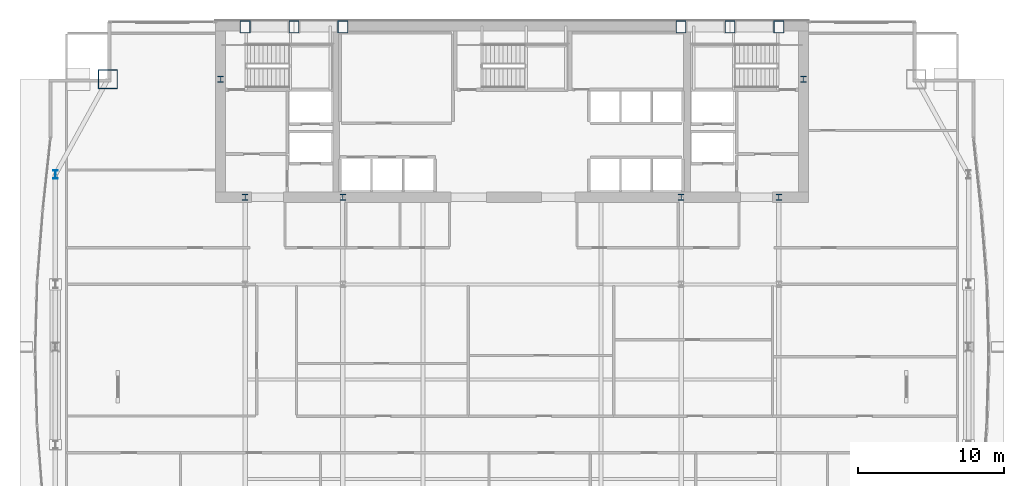
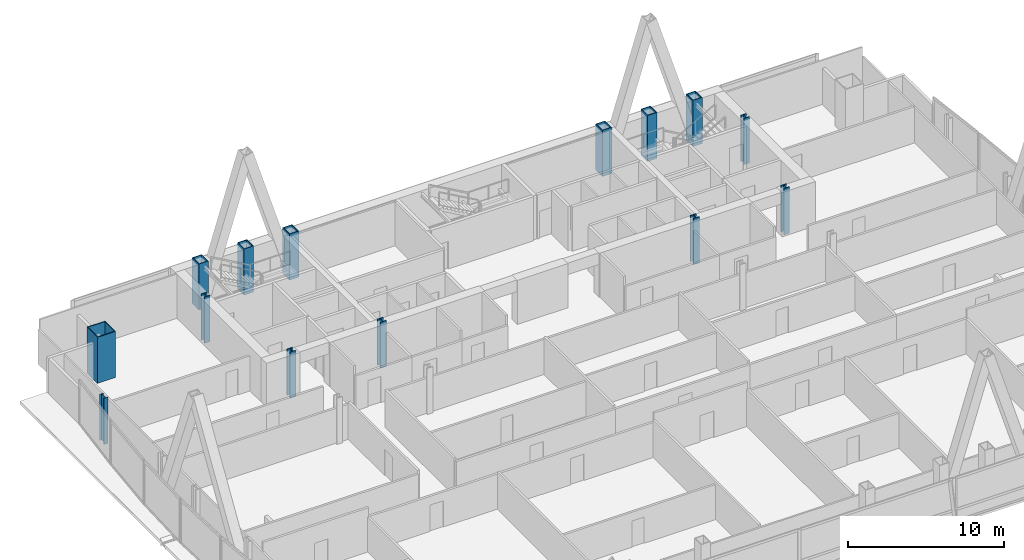
# One storey, part 3 of 30: 14 columns.
"""IFC4 building model written with IfcOpenShell, lengths in metres."""

from ifc_helpers import new_model, si_unit, direction, frame, origin, origin_2d, place, context, subcontext, project, spatial, hollow_rectangle, i_section, extrude, material, material_profile, profile_set, type_object, element, save


model = new_model("IFC4")

# Units and contexts
model_context = context("Model", 3, precision=1e-05, world=origin(), true_north=direction((0.0, 1.0)))
body_context = subcontext(model_context, "Body", "Model", "MODEL_VIEW")
ifc_project = project(units=[si_unit("LENGTHUNIT", "METRE"), si_unit("AREAUNIT", "SQUARE_METRE"), si_unit("VOLUMEUNIT", "CUBIC_METRE"), si_unit("PLANEANGLEUNIT", "RADIAN"), si_unit("MASSUNIT", "GRAM", prefix="KILO")], contexts=[model_context])

# Site, building, storey
site_placement = place(None, origin())
site = spatial("IfcSite", under=ifc_project, at=site_placement, CompositionType="ELEMENT")
building_placement = place(site_placement, origin())
building = spatial("IfcBuilding", under=site, at=building_placement, Name="Khoronbel Lancet Exchange", CompositionType="ELEMENT")
storey_placement = place(building_placement, frame((0.0, 0.0, 136.199951171875)))
storey = spatial("IfcBuildingStorey", under=building, at=storey_placement, Name="L33", CompositionType="ELEMENT", Elevation=136.199951171875)

# Columns
ifc_material_1 = material(Name="Steel S460", Category="steel")
ifc_material_profile_1 = material_profile(ifc_material_1, hollow_rectangle(XDim=0.699951171875, YDim=0.85009765625, WallThickness=0.050048828125, at=origin_2d()), Name="BOX 850x700x50")
ifc_profile_set_1 = profile_set([ifc_material_profile_1], Name="Steel S460")
column_type_1 = type_object("IfcColumnType", Name="COL-EC2", PredefinedType="COLUMN", material=ifc_profile_set_1)
for number, where, z_axis, x_axis, name in (
    (1, (18.22509765625, 53.280029296875, 0.0), (0.0, 0.0, 1.0), (1.0, 0.0, 0.0), "Structural column NC-W1 L33"),
    (2, (21.5625, 53.280029296875, 0.0), (0.0, 0.0, 1.0), (1.0, 0.0, 0.0), "Structural column NC-WM L33"),
    (3, (24.89990234375, 53.280029296875, 0.0), (0.0, 0.0, 1.0), (1.0, 0.0, 0.0), "Structural column NC-W2 L33"),
    (4, (48.0, 53.280029296875, 0.0), (0.0, 0.0, 1.0), (1.0, 0.0, 0.0), "Structural column NC-E1 L33"),
    (5, (51.33740234375, 53.280029296875, 0.0), (0.0, 0.0, 1.0), (1.0, 0.0, 0.0), "Structural column NC-EM L33"),
    (6, (54.675048828125, 53.280029296875, 0.0), (0.0, 0.0, 1.0), (1.0, 0.0, 0.0), "Structural column NC-E2 L33"),
):
    element("IfcColumn", number, at=place(storey_placement, frame(where, z_axis=z_axis, x_axis=x_axis)), inside=storey, type_object=column_type_1, Name=name, PredefinedType="COLUMN", context=body_context, shape_type="SweptSolid", body=[
        extrude(hollow_rectangle(XDim=0.699951171875, YDim=0.85009765625, WallThickness=0.050048828125, at=origin_2d()), origin(), (0.0, 0.0, 1.0), 3.60009765625),
    ])
ifc_material_profile_2 = material_profile(ifc_material_1, i_section(OverallWidth=0.416015625, OverallDepth=0.446044921875, WebThickness=0.0390625, FlangeThickness=0.062744140625, at=origin_2d()), Name="HD 400x509")
ifc_profile_set_2 = profile_set([ifc_material_profile_2], Name="Steel S460")
column_type_2 = type_object("IfcColumnType", Name="COL-IC2", PredefinedType="COLUMN", material=ifc_profile_set_2)
for number, where, z_axis, x_axis, name in (
    (7, (16.550048828125, 49.699951171875, 0.0), (0.0, 0.0, 1.0), (1.0, 0.0, 0.0), "Core-flank plumb transfer column CFW L33"),
    (8, (56.35009765625, 49.699951171875, 0.0), (0.0, 0.0, 1.0), (1.0, 0.0, 0.0), "Core-flank plumb transfer column CFE L33"),
    (9, (18.22509765625, 41.64990234375, 0.0), (0.0, 0.0, 1.0), (1.0, 0.0, 0.0), "Core-embedded steel column CTC1 L33"),
    (10, (24.89990234375, 41.64990234375, 0.0), (0.0, 0.0, 1.0), (1.0, 0.0, 0.0), "Core-embedded steel column CTC2 L33"),
    (11, (48.0, 41.64990234375, 0.0), (0.0, 0.0, 1.0), (1.0, 0.0, 0.0), "Core-embedded steel column CTC3 L33"),
    (12, (54.675048828125, 41.64990234375, 0.0), (0.0, 0.0, 1.0), (1.0, 0.0, 0.0), "Core-embedded steel column CTC4 L33"),
):
    element("IfcColumn", number, at=place(storey_placement, frame(where, z_axis=z_axis, x_axis=x_axis)), inside=storey, type_object=column_type_2, Name=name, PredefinedType="COLUMN", context=body_context, shape_type="SweptSolid", body=[
        extrude(i_section(OverallWidth=0.416015625, OverallDepth=0.446044921875, WebThickness=0.0390625, FlangeThickness=0.062744140625, at=origin_2d()), origin(), (0.0, 0.0, 1.0), 3.60009765625),
    ])
ifc_material_2 = material(Name="Steel S355", Category="steel")
ifc_material_profile_3 = material_profile(ifc_material_2, i_section(OverallWidth=0.300048828125, OverallDepth=0.550048828125, WebThickness=0.014892578125, FlangeThickness=0.029052734375, at=origin_2d()), Name="HEB 550")
ifc_profile_set_3 = profile_set([ifc_material_profile_3], Name="Steel S355")
column_type_3 = type_object("IfcColumnType", Name="COL-LC1", PredefinedType="COLUMN", material=ifc_profile_set_3)
column_1_placement = place(storey_placement, frame((5.27001953125, 43.199951171875, 0.0), z_axis=(0.0, 0.0, 1.0), x_axis=(1.0, 0.0, 0.0)))
element("IfcColumn", 13, at=column_1_placement, inside=storey, type_object=column_type_3, Name="Structural column WC-4 L33", PredefinedType="COLUMN", context=body_context, shape_type="SweptSolid", body=[
    extrude(i_section(OverallWidth=0.300048828125, OverallDepth=0.550048828125, WebThickness=0.014892578125, FlangeThickness=0.029052734375, at=origin_2d()), origin(), (0.0, 0.0, 1.0), 3.60009765625),
])
ifc_material_profile_4 = material_profile(ifc_material_1, hollow_rectangle(XDim=1.35009765625, YDim=1.35009765625, WallThickness=0.06494140625, at=origin_2d()), Name="BOX 1350x1350x65")
ifc_profile_set_4 = profile_set([ifc_material_profile_4], Name="Steel S460")
column_type_4 = type_object("IfcColumnType", Name="COL-MC4", PredefinedType="COLUMN", material=ifc_profile_set_4)
column_2_placement = place(storey_placement, frame((8.85009765625, 49.699951171875, 0.0), z_axis=(0.0, 0.0, 1.0), x_axis=(1.0, 0.0, 0.0)))
element("IfcColumn", 14, at=column_2_placement, inside=storey, type_object=column_type_4, Name="Structural column MC-NW L33", PredefinedType="COLUMN", context=body_context, shape_type="SweptSolid", body=[
    extrude(hollow_rectangle(XDim=1.35009765625, YDim=1.35009765625, WallThickness=0.06494140625, at=origin_2d()), origin(), (0.0, 0.0, 1.0), 3.60009765625),
])

save(model, "model.ifc")
